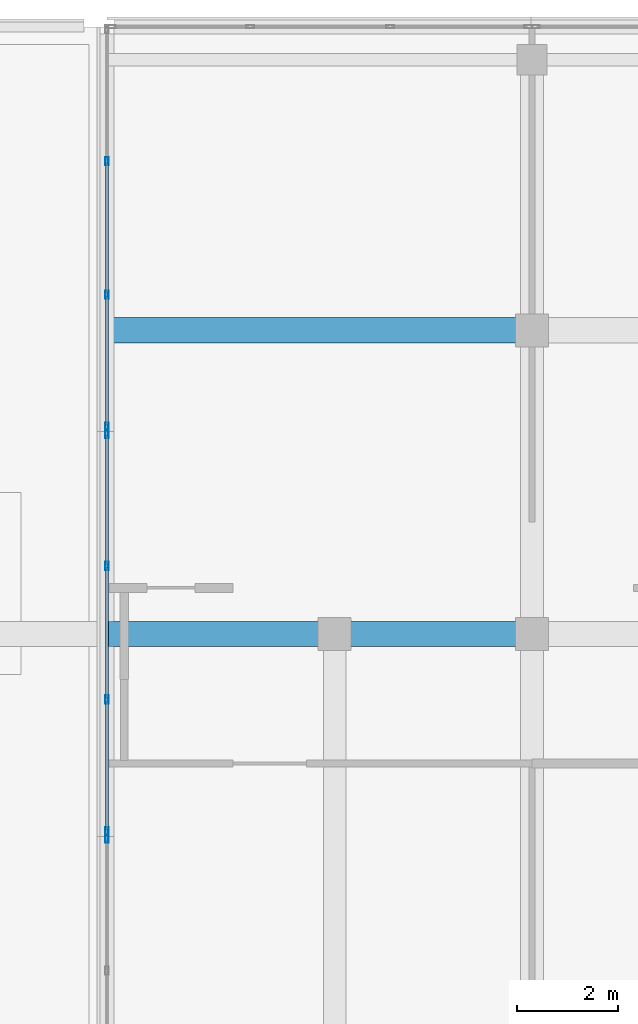
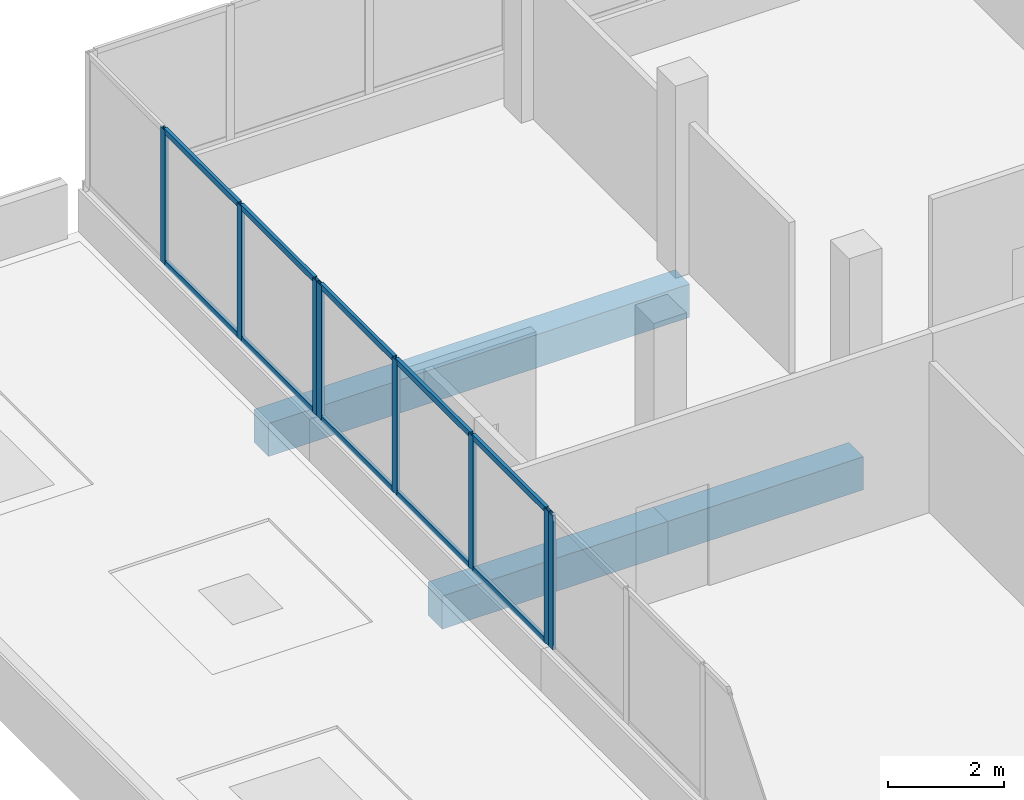
# One storey, part 23 of 78: 18 members, 3 beams, 3 elements without a shape of their own.
"""IFC4 building model written with IfcOpenShell, lengths in metres."""

import ifcopenshell
import ifcopenshell.guid

model = None  # the IFC model being written
_history = None  # IfcOwnerHistory: only IFC2X3 demands one
_inside = {}  # id of a spatial element -> (the spatial element, [elements in it])
_under = {}  # id of a project, library or spatial element -> (it, [spatial elements below it])
_declared = {}  # id of a project -> (the project, [libraries it declares])
_typed = {}  # id of a type object -> (the type object, [elements of that type])
_made_of = {}  # id of a material, layer set ... -> (it, [elements and type objects made of it])


def new_model(schema):
    """Start an empty IFC model of exactly this schema.

    Asked for "IFC4X3", IfcOpenShell would pick the latest addendum, in which some entities
    have other attributes; the version numbers below select the first issue.
    IFC2X3 requires an IfcOwnerHistory on every rooted entity: one is made here for all.
    """
    global model, _history
    if schema == "IFC4X3":
        model = ifcopenshell.file(schema_version=(4, 3, 0, 0))
    else:
        model = ifcopenshell.file(schema=schema)
    _inside.clear()
    _under.clear()
    _declared.clear()
    _typed.clear()
    _made_of.clear()
    _history = None
    if model.schema == "IFC2X3":
        org = make("IfcOrganization", Name="unknown")
        user = make(
            "IfcPersonAndOrganization",
            ThePerson=make("IfcPerson", FamilyName="unknown"),
            TheOrganization=org,
        )
        app = make(
            "IfcApplication",
            ApplicationDeveloper=org,
            Version="unknown",
            ApplicationFullName="unknown",
            ApplicationIdentifier="unknown",
        )
        _history = make(
            "IfcOwnerHistory",
            OwningUser=user,
            OwningApplication=app,
            ChangeAction="ADDED",
            CreationDate=0,
        )
    return model


def make(cls, **values):
    """One entity of the class cls with the attributes given. An attribute that is None is left unset."""
    return model.create_entity(
        cls, **{name: value for name, value in values.items() if value is not None}
    )


def rooted(cls, **values):
    """An entity with a GlobalId (a new one), such as an element, a storey or a relation."""
    return make(cls, GlobalId=ifcopenshell.guid.new(), OwnerHistory=_history, **values)


def si_unit(unit_type, name, prefix=None):
    """IfcSIUnit, for example si_unit("LENGTHUNIT", "METRE", prefix="MILLI")."""
    return make("IfcSIUnit", UnitType=unit_type, Prefix=prefix, Name=name)


def assignment(units):
    """IfcUnitAssignment: the units of a project."""
    return None if units is None else make("IfcUnitAssignment", Units=units)


def point(xyz):
    """IfcCartesianPoint."""
    return None if xyz is None else make("IfcCartesianPoint", Coordinates=xyz)


def direction(xyz):
    """IfcDirection."""
    return None if xyz is None else make("IfcDirection", DirectionRatios=xyz)


def frame(location, z_axis=None, x_axis=None):
    """IfcAxis2Placement3D, a coordinate frame: its origin and axes. An axis left out is left unset."""
    return make(
        "IfcAxis2Placement3D",
        Location=point(location),
        Axis=direction(z_axis),
        RefDirection=direction(x_axis),
    )


def frame_2d(location, x_axis=None):
    """IfcAxis2Placement2D, a coordinate frame in the plane: its origin and x axis."""
    return make(
        "IfcAxis2Placement2D", Location=point(location), RefDirection=direction(x_axis)
    )


def origin():
    """The frame at (0, 0, 0) with its axes left unset."""
    return frame((0.0, 0.0, 0.0))


def origin_2d():
    """The frame at (0, 0) in the plane with its x axis left unset."""
    return frame_2d((0.0, 0.0))


def place(relative_to, where):
    """IfcLocalPlacement: puts the frame where relative to a parent placement (None: the world)."""
    return make(
        "IfcLocalPlacement", PlacementRelTo=relative_to, RelativePlacement=where
    )


def context(
    kind, dimensions, precision=None, world=None, true_north=None, identifier=None
):
    """IfcGeometricRepresentationContext, for example the 3D "Model" context."""
    return make(
        "IfcGeometricRepresentationContext",
        ContextIdentifier=identifier,
        ContextType=kind,
        CoordinateSpaceDimension=dimensions,
        Precision=precision,
        WorldCoordinateSystem=world,
        TrueNorth=true_north,
    )


def subcontext(parent, identifier, kind, view, scale=None):
    """IfcGeometricRepresentationSubContext, for example "Body" below "Model"."""
    return make(
        "IfcGeometricRepresentationSubContext",
        ContextIdentifier=identifier,
        ContextType=kind,
        ParentContext=parent,
        TargetScale=scale,
        TargetView=view,
    )


def project(units=None, contexts=None):
    """IfcProject with its units and contexts."""
    return rooted(
        "IfcProject",
        Name="project",
        RepresentationContexts=contexts,
        UnitsInContext=assignment(units),
    )


def spatial(cls, under=None, at=None, **own):
    """A site, building, storey or space (cls), placed at a placement, below another one or the project."""
    s = rooted(cls, ObjectPlacement=at, **own)
    if under is not None:
        _under.setdefault(under.id(), (under, []))[1].append(s)
    return s


def profile(cls, at=None, kind="AREA", **sizes):
    """A parametric profile (cls). Its sizes go by their IFC names, for example OverallWidth=200.0."""
    return make(cls, ProfileType=kind, Position=at, **sizes)


def rectangle(**sizes):
    """IfcRectangleProfileDef."""
    return profile("IfcRectangleProfileDef", **sizes)


def hollow_rectangle(**sizes):
    """IfcRectangleHollowProfileDef."""
    return profile("IfcRectangleHollowProfileDef", **sizes)


def extrude(swept, where, along, depth):
    """IfcExtrudedAreaSolid: the profile swept, set in the frame where, extruded along a direction by depth."""
    return make(
        "IfcExtrudedAreaSolid",
        SweptArea=swept,
        Position=where,
        ExtrudedDirection=direction(along),
        Depth=depth,
    )


def shape(context_of_items, identifier, shape_type, items):
    """IfcShapeRepresentation: the items that make up one representation, for example the "Body"."""
    return make(
        "IfcShapeRepresentation",
        ContextOfItems=context_of_items,
        RepresentationIdentifier=identifier,
        RepresentationType=shape_type,
        Items=items,
    )


def material(Name=None, Category=None):
    """IfcMaterial."""
    return make("IfcMaterial", Name=Name, Category=Category)


def material_profile(
    of_material, cross_section, Name=None, Category=None, Priority=None
):
    """IfcMaterialProfile: a cross section and its material."""
    return make(
        "IfcMaterialProfile",
        Name=Name,
        Material=of_material,
        Profile=cross_section,
        Priority=Priority,
        Category=Category,
    )


def profile_set(profiles, Name=None, composite=None):
    """IfcMaterialProfileSet."""
    return make(
        "IfcMaterialProfileSet",
        Name=Name,
        MaterialProfiles=profiles,
        CompositeProfile=composite,
    )


def made_of(thing, what):
    """Note that an element or type object is made of a material, layer set ...; save() writes the relation."""
    if what is not None:
        _made_of.setdefault(what.id(), (what, []))[1].append(thing)
    return thing


def type_object(cls, material=None, **own):
    """A type object (cls), such as IfcWallType, which elements share."""
    return made_of(rooted(cls, **own), material)


def element(
    cls,
    number,
    at=None,
    inside=None,
    cuts=None,
    type_object=None,
    material=None,
    context=None,
    identifier="Body",
    shape_type=None,
    held_by="IfcProductDefinitionShape",
    body=None,
    shapes=None,
    **own,
):
    """One element of the class cls, such as IfcWall. Its Tag is "e" and its number.

    at: its placement. inside: the storey or other place that contains it. cuts: it is an
    opening in that element (IfcRelVoidsElement). A single representation is given by context,
    identifier, shape_type and body (its items); several are given by shapes. held_by: the class
    of the entity that holds the representations. save() writes the other relations.
    """
    e = rooted(cls, Tag="e%d" % number, ObjectPlacement=at, **own)
    if body is not None:
        shapes = [shape(context, identifier, shape_type, body)]
    if shapes is not None:
        e.Representation = make(held_by, Representations=shapes)
    if inside is not None:
        _inside.setdefault(inside.id(), (inside, []))[1].append(e)
    if cuts is not None:
        rooted(
            "IfcRelVoidsElement", RelatingBuildingElement=cuts, RelatedOpeningElement=e
        )
    if type_object is not None:
        _typed.setdefault(type_object.id(), (type_object, []))[1].append(e)
    return made_of(e, material)


def aggregate(whole, parts):
    """IfcRelAggregates: a whole, such as a stair, and the parts it consists of."""
    return rooted("IfcRelAggregates", RelatingObject=whole, RelatedObjects=parts)


def save(model, path):
    """Write the relations noted so far, then the file.

    IfcRelAggregates (storeys below a building ...), IfcRelContainedInSpatialStructure (elements
    in a storey), IfcRelDefinesByType, IfcRelAssociatesMaterial and IfcRelDeclares: one each for
    every whole, place, type object, material and project.
    """
    for whole, parts in _under.values():
        aggregate(whole, parts)
    for where, things in _inside.values():
        rooted(
            "IfcRelContainedInSpatialStructure",
            RelatedElements=things,
            RelatingStructure=where,
        )
    for kind, things in _typed.values():
        rooted("IfcRelDefinesByType", RelatedObjects=things, RelatingType=kind)
    for what, things in _made_of.values():
        rooted("IfcRelAssociatesMaterial", RelatedObjects=things, RelatingMaterial=what)
    for by, libraries in _declared.values():
        rooted("IfcRelDeclares", RelatingContext=by, RelatedDefinitions=libraries)
    model.write(path)


model = new_model("IFC4")

# Units and contexts
model_context = context("Model", 3, precision=1e-05, world=origin(), true_north=direction((0.0, 1.0)))
body_context = subcontext(model_context, "Body", "Model", "MODEL_VIEW")
ifc_project = project(units=[si_unit("LENGTHUNIT", "METRE"), si_unit("AREAUNIT", "SQUARE_METRE"), si_unit("VOLUMEUNIT", "CUBIC_METRE"), si_unit("PLANEANGLEUNIT", "RADIAN"), si_unit("MASSUNIT", "GRAM", prefix="KILO")], contexts=[model_context])

# Site, building, storey
site_placement = place(None, origin())
site = spatial("IfcSite", under=ifc_project, at=site_placement, CompositionType="ELEMENT")
building_placement = place(site_placement, origin())
building = spatial("IfcBuilding", under=site, at=building_placement, Name="Selatvlak General Hospital", CompositionType="ELEMENT")
storey_placement = place(building_placement, frame((0.0, 0.0, 23.25)))
storey = spatial("IfcBuildingStorey", under=building, at=storey_placement, Name="L05", CompositionType="ELEMENT", Elevation=23.25)

# Beams
ifc_material_1 = material(Name="Concrete C40/50", Category="concrete")
ifc_material_profile_1 = material_profile(ifc_material_1, rectangle(XDim=0.5, YDim=0.699951171875, at=origin_2d()), Name="RC-BM 500x700")
ifc_profile_set_1 = profile_set([ifc_material_profile_1], Name="Concrete C40/50")
beam_type = type_object("IfcBeamType", Name="BM-G03", PredefinedType="BEAM", material=ifc_profile_set_1)
beam_1_placement = place(storey_placement, frame((22.800048828125, 108.0, -0.6298828125), z_axis=(1.0, 0.0, 0.0), x_axis=(0.0, 1.0, 0.0)))
element("IfcBeam", 1, at=beam_1_placement, inside=storey, type_object=beam_type, Name="Beam BMR-L05-1947", PredefinedType="BEAM", context=body_context, shape_type="SweptSolid", body=[
    extrude(rectangle(XDim=0.5, YDim=0.699951171875, at=origin_2d()), origin(), (0.0, 0.0, 1.0), 4.5),
])
beam_2_placement = place(storey_placement, frame((27.300048828125, 108.0, -0.6298828125), z_axis=(1.0, 0.0, 0.0), x_axis=(0.0, 1.0, 0.0)))
element("IfcBeam", 2, at=beam_2_placement, inside=storey, type_object=beam_type, Name="Beam BMR-L05-1948", PredefinedType="BEAM", context=body_context, shape_type="SweptSolid", body=[
    extrude(rectangle(XDim=0.5, YDim=0.699951171875, at=origin_2d()), origin(), (0.0, 0.0, 1.0), 3.89990234375),
])
beam_3_placement = place(storey_placement, frame((22.800048828125, 114.0, -0.6298828125), z_axis=(1.0, 0.0, 0.0), x_axis=(0.0, 1.0, 0.0)))
element("IfcBeam", 3, at=beam_3_placement, inside=storey, type_object=beam_type, Name="Beam BMR-L05-1960", PredefinedType="BEAM", context=body_context, shape_type="SweptSolid", body=[
    extrude(rectangle(XDim=0.5, YDim=0.699951171875, at=origin_2d()), origin(), (0.0, 0.0, 1.0), 8.39990234375),
])

# Curtain wall, member
ifc_material_2 = material(Name="Solar-control Low-E double glazing", Category="glass")
curtain_wall_type_1 = type_object("IfcCurtainWallType", Name="CW-CW-02", PredefinedType="USERDEFINED", material=ifc_material_2)
curtain_wall_1_placement = place(storey_placement, origin())
curtain_wall_1 = element("IfcCurtainWall", 4, at=curtain_wall_1_placement, inside=storey, type_object=curtain_wall_type_1, Name="Glazed facade curtain wall CW-L05-0544", ObjectType="UNITISED CURTAIN WALL", PredefinedType="USERDEFINED")
ifc_material_3 = material(Name="Dark anodised aluminium mullion", Category="aluminium")
ifc_material_profile_2 = material_profile(ifc_material_3, hollow_rectangle(XDim=0.06494140625, YDim=0.159912109375, WallThickness=0.00390625, at=origin_2d()), Name="AL-MUL 65x160x4")
ifc_profile_set_2 = profile_set([ifc_material_profile_2], Name="Dark anodised aluminium mullion")
member_type_1 = type_object("IfcMemberType", Name="CWM-01", PredefinedType="MULLION", material=ifc_profile_set_2)
member_1_placement = place(storey_placement, frame((22.800048828125, 103.951416015625, 0.93994140625), z_axis=(0.0, 0.0, 1.0), x_axis=(-1.0, 0.0, 0.0)))
member_1 = element("IfcMember", 5, at=member_1_placement, type_object=member_type_1, Name="CW-02 mullion 4", PredefinedType="MULLION", context=body_context, shape_type="SweptSolid", body=[
    extrude(hollow_rectangle(XDim=0.06494140625, YDim=0.159912109375, WallThickness=0.00390625, at=origin_2d()), origin(), (0.0, 0.0, 1.0), 2.8349609375),
])
aggregate(curtain_wall_1, [member_1])

# Curtain wall, members
curtain_wall_type_2 = type_object("IfcCurtainWallType", Name="CW-CW-01", PredefinedType="USERDEFINED", material=ifc_material_2)
curtain_wall_2_placement = place(storey_placement, origin())
curtain_wall_2 = element("IfcCurtainWall", 6, at=curtain_wall_2_placement, inside=storey, type_object=curtain_wall_type_2, Name="Glazed facade curtain wall CW-L05-0545", ObjectType="UNITISED CURTAIN WALL", PredefinedType="USERDEFINED")
member_2_placement = place(storey_placement, frame((22.800048828125, 104.096435546875, 0.93994140625), z_axis=(0.0, 0.0, 1.0), x_axis=(-1.0, 0.0, 0.0)))
member_2 = element("IfcMember", 7, at=member_2_placement, type_object=member_type_1, Name="CW-01 mullion 1", PredefinedType="MULLION", context=body_context, shape_type="SweptSolid", body=[
    extrude(hollow_rectangle(XDim=0.06494140625, YDim=0.159912109375, WallThickness=0.00390625, at=origin_2d()), origin(), (0.0, 0.0, 1.0), 2.8349609375),
])
member_3_placement = place(storey_placement, frame((22.800048828125, 106.7041015625, 0.93994140625), z_axis=(0.0, 0.0, 1.0), x_axis=(-1.0, 0.0, 0.0)))
member_3 = element("IfcMember", 8, at=member_3_placement, type_object=member_type_1, Name="CW-01 mullion 2", PredefinedType="MULLION", context=body_context, shape_type="SweptSolid", body=[
    extrude(hollow_rectangle(XDim=0.06494140625, YDim=0.159912109375, WallThickness=0.00390625, at=origin_2d()), origin(), (0.0, 0.0, 1.0), 2.8349609375),
])
member_4_placement = place(storey_placement, frame((22.800048828125, 109.343994140625, 0.93994140625), z_axis=(0.0, 0.0, 1.0), x_axis=(-1.0, 0.0, 0.0)))
member_4 = element("IfcMember", 9, at=member_4_placement, type_object=member_type_1, Name="CW-01 mullion 3", PredefinedType="MULLION", context=body_context, shape_type="SweptSolid", body=[
    extrude(hollow_rectangle(XDim=0.06494140625, YDim=0.159912109375, WallThickness=0.00390625, at=origin_2d()), origin(), (0.0, 0.0, 1.0), 2.8349609375),
])
member_5_placement = place(storey_placement, frame((22.800048828125, 111.951416015625, 0.93994140625), z_axis=(0.0, 0.0, 1.0), x_axis=(-1.0, 0.0, 0.0)))
member_5 = element("IfcMember", 10, at=member_5_placement, type_object=member_type_1, Name="CW-01 mullion 4", PredefinedType="MULLION", context=body_context, shape_type="SweptSolid", body=[
    extrude(hollow_rectangle(XDim=0.06494140625, YDim=0.159912109375, WallThickness=0.00390625, at=origin_2d()), origin(), (0.0, 0.0, 1.0), 2.8349609375),
])

curtain_wall_3_placement = place(storey_placement, origin())
curtain_wall_3 = element("IfcCurtainWall", 11, at=curtain_wall_3_placement, inside=storey, type_object=curtain_wall_type_1, Name="Glazed facade curtain wall CW-L05-0546", ObjectType="UNITISED CURTAIN WALL", PredefinedType="USERDEFINED")
member_6_placement = place(storey_placement, frame((22.800048828125, 112.096435546875, 0.93994140625), z_axis=(0.0, 0.0, 1.0), x_axis=(-1.0, 0.0, 0.0)))
member_6 = element("IfcMember", 12, at=member_6_placement, type_object=member_type_1, Name="CW-02 mullion 1", PredefinedType="MULLION", context=body_context, shape_type="SweptSolid", body=[
    extrude(hollow_rectangle(XDim=0.06494140625, YDim=0.159912109375, WallThickness=0.00390625, at=origin_2d()), origin(), (0.0, 0.0, 1.0), 2.8349609375),
])
member_7_placement = place(storey_placement, frame((22.800048828125, 114.7041015625, 0.93994140625), z_axis=(0.0, 0.0, 1.0), x_axis=(-1.0, 0.0, 0.0)))
member_7 = element("IfcMember", 13, at=member_7_placement, type_object=member_type_1, Name="CW-02 mullion 2", PredefinedType="MULLION", context=body_context, shape_type="SweptSolid", body=[
    extrude(hollow_rectangle(XDim=0.06494140625, YDim=0.159912109375, WallThickness=0.00390625, at=origin_2d()), origin(), (0.0, 0.0, 1.0), 2.8349609375),
])
member_8_placement = place(storey_placement, frame((22.800048828125, 117.343994140625, 0.93994140625), z_axis=(0.0, 0.0, 1.0), x_axis=(-1.0, 0.0, 0.0)))
member_8 = element("IfcMember", 14, at=member_8_placement, type_object=member_type_1, Name="CW-02 mullion 3", PredefinedType="MULLION", context=body_context, shape_type="SweptSolid", body=[
    extrude(hollow_rectangle(XDim=0.06494140625, YDim=0.159912109375, WallThickness=0.00390625, at=origin_2d()), origin(), (0.0, 0.0, 1.0), 2.8349609375),
])

# Member
ifc_material_profile_3 = material_profile(ifc_material_3, hollow_rectangle(XDim=0.06494140625, YDim=0.1201171875, WallThickness=0.00390625, at=origin_2d()), Name="AL-TRN 65x120x4")
ifc_profile_set_3 = profile_set([ifc_material_profile_3], Name="Dark anodised aluminium mullion")
member_type_2 = type_object("IfcMemberType", Name="CWT-01", PredefinedType="USERDEFINED", material=ifc_profile_set_3)
member_9_placement = place(storey_placement, frame((22.800048828125, 104.12890625, 0.972412109375), z_axis=(0.0, 1.0, 0.0), x_axis=(-1.0, 0.0, 0.0)))
member_9 = element("IfcMember", 15, at=member_9_placement, type_object=member_type_2, Name="CW-01 transom 1.1", ObjectType="TRANSOM", PredefinedType="USERDEFINED", context=body_context, shape_type="SweptSolid", body=[
    extrude(hollow_rectangle(XDim=0.06494140625, YDim=0.1201171875, WallThickness=0.00390625, at=origin_2d()), origin(), (0.0, 0.0, 1.0), 2.54248046875),
])

member_10_placement = place(storey_placement, frame((22.800048828125, 104.12890625, 3.742431640625), z_axis=(0.0, 1.0, 0.0), x_axis=(-1.0, 0.0, 0.0)))
member_10 = element("IfcMember", 16, at=member_10_placement, type_object=member_type_2, Name="CW-01 transom 1.2", ObjectType="TRANSOM", PredefinedType="USERDEFINED", context=body_context, shape_type="SweptSolid", body=[
    extrude(hollow_rectangle(XDim=0.06494140625, YDim=0.1201171875, WallThickness=0.00390625, at=origin_2d()), origin(), (0.0, 0.0, 1.0), 2.54248046875),
])

member_11_placement = place(storey_placement, frame((22.800048828125, 106.736572265625, 0.972412109375), z_axis=(0.0, 1.0, 0.0), x_axis=(-1.0, 0.0, 0.0)))
member_11 = element("IfcMember", 17, at=member_11_placement, type_object=member_type_2, Name="CW-01 transom 2.1", ObjectType="TRANSOM", PredefinedType="USERDEFINED", context=body_context, shape_type="SweptSolid", body=[
    extrude(hollow_rectangle(XDim=0.06494140625, YDim=0.1201171875, WallThickness=0.00390625, at=origin_2d()), origin(), (0.0, 0.0, 1.0), 2.574951171875),
])

member_12_placement = place(storey_placement, frame((22.800048828125, 106.736572265625, 3.742431640625), z_axis=(0.0, 1.0, 0.0), x_axis=(-1.0, 0.0, 0.0)))
member_12 = element("IfcMember", 18, at=member_12_placement, type_object=member_type_2, Name="CW-01 transom 2.2", ObjectType="TRANSOM", PredefinedType="USERDEFINED", context=body_context, shape_type="SweptSolid", body=[
    extrude(hollow_rectangle(XDim=0.06494140625, YDim=0.1201171875, WallThickness=0.00390625, at=origin_2d()), origin(), (0.0, 0.0, 1.0), 2.574951171875),
])

member_13_placement = place(storey_placement, frame((22.800048828125, 109.37646484375, 0.972412109375), z_axis=(0.0, 1.0, 0.0), x_axis=(-1.0, 0.0, 0.0)))
member_13 = element("IfcMember", 19, at=member_13_placement, type_object=member_type_2, Name="CW-01 transom 3.1", ObjectType="TRANSOM", PredefinedType="USERDEFINED", context=body_context, shape_type="SweptSolid", body=[
    extrude(hollow_rectangle(XDim=0.06494140625, YDim=0.1201171875, WallThickness=0.00390625, at=origin_2d()), origin(), (0.0, 0.0, 1.0), 2.54248046875),
])

member_14_placement = place(storey_placement, frame((22.800048828125, 109.37646484375, 3.742431640625), z_axis=(0.0, 1.0, 0.0), x_axis=(-1.0, 0.0, 0.0)))
member_14 = element("IfcMember", 20, at=member_14_placement, type_object=member_type_2, Name="CW-01 transom 3.2", ObjectType="TRANSOM", PredefinedType="USERDEFINED", context=body_context, shape_type="SweptSolid", body=[
    extrude(hollow_rectangle(XDim=0.06494140625, YDim=0.1201171875, WallThickness=0.00390625, at=origin_2d()), origin(), (0.0, 0.0, 1.0), 2.54248046875),
])

aggregate(curtain_wall_2, [member_2, member_3, member_4, member_5, member_9, member_10, member_11, member_12, member_13, member_14])

member_15_placement = place(storey_placement, frame((22.800048828125, 112.12890625, 0.972412109375), z_axis=(0.0, 1.0, 0.0), x_axis=(-1.0, 0.0, 0.0)))
member_15 = element("IfcMember", 21, at=member_15_placement, type_object=member_type_2, Name="CW-02 transom 1.1", ObjectType="TRANSOM", PredefinedType="USERDEFINED", context=body_context, shape_type="SweptSolid", body=[
    extrude(hollow_rectangle(XDim=0.06494140625, YDim=0.1201171875, WallThickness=0.00390625, at=origin_2d()), origin(), (0.0, 0.0, 1.0), 2.54248046875),
])

member_16_placement = place(storey_placement, frame((22.800048828125, 112.12890625, 3.742431640625), z_axis=(0.0, 1.0, 0.0), x_axis=(-1.0, 0.0, 0.0)))
member_16 = element("IfcMember", 22, at=member_16_placement, type_object=member_type_2, Name="CW-02 transom 1.2", ObjectType="TRANSOM", PredefinedType="USERDEFINED", context=body_context, shape_type="SweptSolid", body=[
    extrude(hollow_rectangle(XDim=0.06494140625, YDim=0.1201171875, WallThickness=0.00390625, at=origin_2d()), origin(), (0.0, 0.0, 1.0), 2.54248046875),
])

member_17_placement = place(storey_placement, frame((22.800048828125, 114.736572265625, 0.972412109375), z_axis=(0.0, 1.0, 0.0), x_axis=(-1.0, 0.0, 0.0)))
member_17 = element("IfcMember", 23, at=member_17_placement, type_object=member_type_2, Name="CW-02 transom 2.1", ObjectType="TRANSOM", PredefinedType="USERDEFINED", context=body_context, shape_type="SweptSolid", body=[
    extrude(hollow_rectangle(XDim=0.06494140625, YDim=0.1201171875, WallThickness=0.00390625, at=origin_2d()), origin(), (0.0, 0.0, 1.0), 2.574951171875),
])

member_18_placement = place(storey_placement, frame((22.800048828125, 114.736572265625, 3.742431640625), z_axis=(0.0, 1.0, 0.0), x_axis=(-1.0, 0.0, 0.0)))
member_18 = element("IfcMember", 24, at=member_18_placement, type_object=member_type_2, Name="CW-02 transom 2.2", ObjectType="TRANSOM", PredefinedType="USERDEFINED", context=body_context, shape_type="SweptSolid", body=[
    extrude(hollow_rectangle(XDim=0.06494140625, YDim=0.1201171875, WallThickness=0.00390625, at=origin_2d()), origin(), (0.0, 0.0, 1.0), 2.574951171875),
])

aggregate(curtain_wall_3, [member_6, member_7, member_8, member_15, member_16, member_17, member_18])

save(model, "model.ifc")
